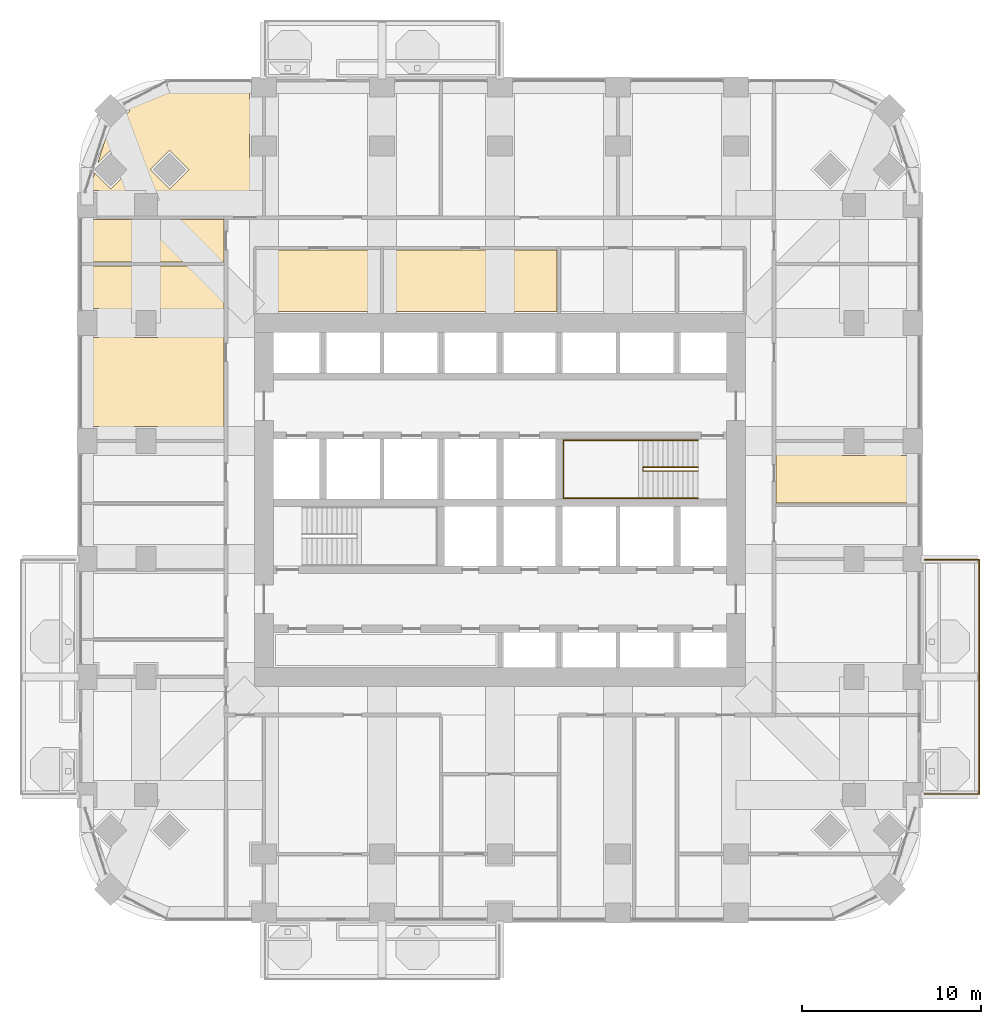
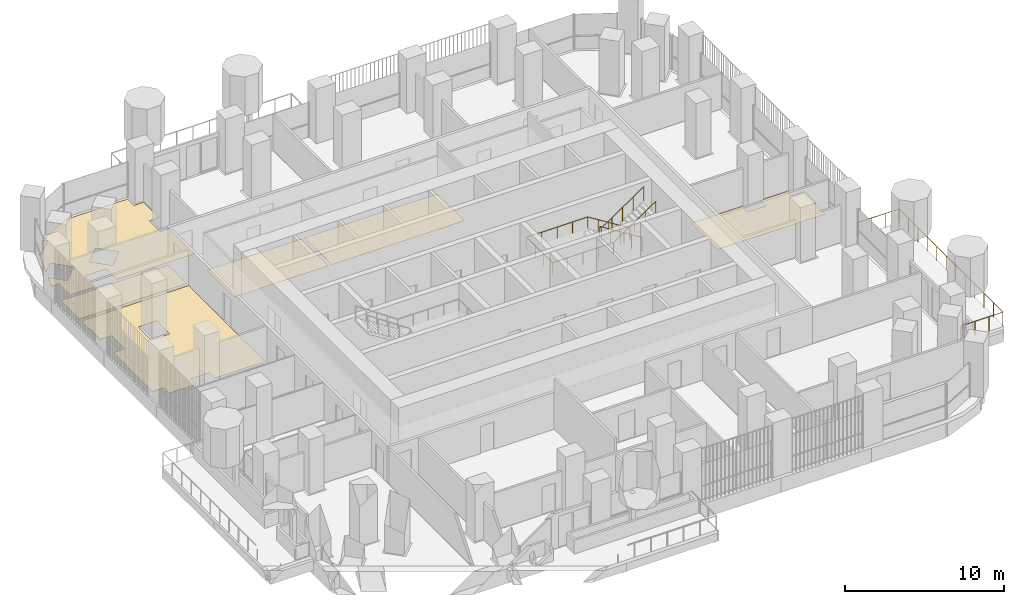
# One storey, part 19 of 21: 6 coverings, 3 railings.
"""IFC4 building model written with IfcOpenShell, lengths in metres."""

from ifc_helpers import new_model, si_unit, direction, frame, origin, place, context, subcontext, project, spatial, polyline, outline, extrude, material, layer, layer_set, type_object, element, save


model = new_model("IFC4")

# Units and contexts
model_context = context("Model", 3, precision=1e-05, world=origin(), true_north=direction((0.0, 1.0)))
body_context = subcontext(model_context, "Body", "Model", "MODEL_VIEW")
ifc_project = project(units=[si_unit("LENGTHUNIT", "METRE"), si_unit("AREAUNIT", "SQUARE_METRE"), si_unit("VOLUMEUNIT", "CUBIC_METRE"), si_unit("PLANEANGLEUNIT", "RADIAN"), si_unit("MASSUNIT", "GRAM", prefix="KILO")], contexts=[model_context])

# Site, building, storey
site_placement = place(None, origin())
site = spatial("IfcSite", under=ifc_project, at=site_placement, CompositionType="ELEMENT")
building_placement = place(site_placement, origin())
building = spatial("IfcBuilding", under=site, at=building_placement, Name="Cobogo Forest Laboratory Tower", CompositionType="ELEMENT")
storey_placement = place(building_placement, frame((0.0, 0.0, 132.60009765625)))
storey = spatial("IfcBuildingStorey", under=building, at=storey_placement, Name="L30", CompositionType="ELEMENT", Elevation=132.60009765625)

# Railing
ifc_material_1 = material(Name="Laminated glass balustrade", Category="glass")
railing_type_1 = type_object("IfcRailingType", Name="BG1 glass balustrade 1100", PredefinedType="GUARDRAIL", material=ifc_material_1)
railing_1_placement = place(storey_placement, frame((50.14990234375, 6.64990234375, 0.0)))
element("IfcRailing", 1, at=railing_1_placement, inside=storey, type_object=railing_type_1, Name="Balcony balustrade BAL-E1 L30", PredefinedType="GUARDRAIL", context=body_context, shape_type="SweptSolid", body=[
    extrude(outline(polyline([(0.022216796875, 0.00927734375), (0.00927734375, 0.022216796875), (-0.00927734375, 0.022216796875), (-0.022216796875, 0.00927734375), (-0.022216796875, -0.00927734375), (-0.00927734375, -0.022216796875), (0.00927734375, -0.022216796875), (0.022216796875, -0.00927734375), (0.022216796875, 0.00927734375)])), frame((0.0, 0.0, 1.077880859375), z_axis=(1.0, 0.0, 0.0), x_axis=(0.0, 1.0, 0.0)), (0.0, 0.0, 1.0), 3.050048828125),
    extrude(outline(polyline([(0.022216796875, 0.00927734375), (0.00927734375, 0.022216796875), (-0.00927734375, 0.022216796875), (-0.022216796875, 0.00927734375), (-0.022216796875, -0.00927734375), (-0.00927734375, -0.022216796875), (0.00927734375, -0.022216796875), (0.022216796875, -0.00927734375), (0.022216796875, 0.00927734375)])), frame((3.050048828125, 0.0, 1.077880859375), z_axis=(0.0, 1.0, 0.0), x_axis=(-1.0, 0.0, 0.0)), (0.0, 0.0, 1.0), 13.10009765625),
    extrude(outline(polyline([(0.022216796875, 0.00927734375), (0.00927734375, 0.022216796875), (-0.00927734375, 0.022216796875), (-0.022216796875, 0.00927734375), (-0.022216796875, -0.00927734375), (-0.00927734375, -0.022216796875), (0.00927734375, -0.022216796875), (0.022216796875, -0.00927734375), (0.022216796875, 0.00927734375)])), frame((3.050048828125, 13.10009765625, 1.077880859375), z_axis=(-1.0, 0.0, 0.0), x_axis=(0.0, -1.0, 0.0)), (0.0, 0.0, 1.0), 3.050048828125),
    extrude(outline(polyline([(0.019287109375, 0.008056640625), (0.008056640625, 0.019287109375), (-0.008056640625, 0.019287109375), (-0.019287109375, 0.008056640625), (-0.019287109375, -0.008056640625), (-0.008056640625, -0.019287109375), (0.008056640625, -0.019287109375), (0.019287109375, -0.008056640625), (0.019287109375, 0.008056640625)])), origin(), (0.0, 0.0, 1.0), 1.077880859375),
    extrude(outline(polyline([(0.019287109375, 0.008056640625), (0.008056640625, 0.019287109375), (-0.008056640625, 0.019287109375), (-0.019287109375, 0.008056640625), (-0.019287109375, -0.008056640625), (-0.008056640625, -0.019287109375), (0.008056640625, -0.019287109375), (0.019287109375, -0.008056640625), (0.019287109375, 0.008056640625)])), frame((1.0166015625, 0.0, 0.0)), (0.0, 0.0, 1.0), 1.077880859375),
    extrude(outline(polyline([(0.019287109375, 0.008056640625), (0.008056640625, 0.019287109375), (-0.008056640625, 0.019287109375), (-0.019287109375, 0.008056640625), (-0.019287109375, -0.008056640625), (-0.008056640625, -0.019287109375), (0.008056640625, -0.019287109375), (0.019287109375, -0.008056640625), (0.019287109375, 0.008056640625)])), frame((2.033447265625, 0.0, 0.0)), (0.0, 0.0, 1.0), 1.077880859375),
    extrude(outline(polyline([(0.019287109375, 0.008056640625), (0.008056640625, 0.019287109375), (-0.008056640625, 0.019287109375), (-0.019287109375, 0.008056640625), (-0.019287109375, -0.008056640625), (-0.008056640625, -0.019287109375), (0.008056640625, -0.019287109375), (0.019287109375, -0.008056640625), (0.019287109375, 0.008056640625)])), frame((3.050048828125, 0.0, 0.0)), (0.0, 0.0, 1.0), 1.077880859375),
    extrude(outline(polyline([(0.019287109375, 0.008056640625), (0.008056640625, 0.019287109375), (-0.008056640625, 0.019287109375), (-0.019287109375, 0.008056640625), (-0.019287109375, -0.008056640625), (-0.008056640625, -0.019287109375), (0.008056640625, -0.019287109375), (0.019287109375, -0.008056640625), (0.019287109375, 0.008056640625)])), frame((3.050048828125, 1.19091796875, 0.0)), (0.0, 0.0, 1.0), 1.077880859375),
    extrude(outline(polyline([(0.019287109375, 0.008056640625), (0.008056640625, 0.019287109375), (-0.008056640625, 0.019287109375), (-0.019287109375, 0.008056640625), (-0.019287109375, -0.008056640625), (-0.008056640625, -0.019287109375), (0.008056640625, -0.019287109375), (0.019287109375, -0.008056640625), (0.019287109375, 0.008056640625)])), frame((3.050048828125, 2.3818359375, 0.0)), (0.0, 0.0, 1.0), 1.077880859375),
    extrude(outline(polyline([(0.019287109375, 0.008056640625), (0.008056640625, 0.019287109375), (-0.008056640625, 0.019287109375), (-0.019287109375, 0.008056640625), (-0.019287109375, -0.008056640625), (-0.008056640625, -0.019287109375), (0.008056640625, -0.019287109375), (0.019287109375, -0.008056640625), (0.019287109375, 0.008056640625)])), frame((3.050048828125, 3.57275390625, 0.0)), (0.0, 0.0, 1.0), 1.077880859375),
    extrude(outline(polyline([(0.019287109375, 0.008056640625), (0.008056640625, 0.019287109375), (-0.008056640625, 0.019287109375), (-0.019287109375, 0.008056640625), (-0.019287109375, -0.008056640625), (-0.008056640625, -0.019287109375), (0.008056640625, -0.019287109375), (0.019287109375, -0.008056640625), (0.019287109375, 0.008056640625)])), frame((3.050048828125, 4.763671875, 0.0)), (0.0, 0.0, 1.0), 1.077880859375),
    extrude(outline(polyline([(0.019287109375, 0.008056640625), (0.008056640625, 0.019287109375), (-0.008056640625, 0.019287109375), (-0.019287109375, 0.008056640625), (-0.019287109375, -0.008056640625), (-0.008056640625, -0.019287109375), (0.008056640625, -0.019287109375), (0.019287109375, -0.008056640625), (0.019287109375, 0.008056640625)])), frame((3.050048828125, 5.95458984375, 0.0)), (0.0, 0.0, 1.0), 1.077880859375),
    extrude(outline(polyline([(0.019287109375, 0.008056640625), (0.008056640625, 0.019287109375), (-0.008056640625, 0.019287109375), (-0.019287109375, 0.008056640625), (-0.019287109375, -0.008056640625), (-0.008056640625, -0.019287109375), (0.008056640625, -0.019287109375), (0.019287109375, -0.008056640625), (0.019287109375, 0.008056640625)])), frame((3.050048828125, 7.1455078125, 0.0)), (0.0, 0.0, 1.0), 1.077880859375),
    extrude(outline(polyline([(0.019287109375, 0.008056640625), (0.008056640625, 0.019287109375), (-0.008056640625, 0.019287109375), (-0.019287109375, 0.008056640625), (-0.019287109375, -0.008056640625), (-0.008056640625, -0.019287109375), (0.008056640625, -0.019287109375), (0.019287109375, -0.008056640625), (0.019287109375, 0.008056640625)])), frame((3.050048828125, 8.33642578125, 0.0)), (0.0, 0.0, 1.0), 1.077880859375),
    extrude(outline(polyline([(0.019287109375, 0.008056640625), (0.008056640625, 0.019287109375), (-0.008056640625, 0.019287109375), (-0.019287109375, 0.008056640625), (-0.019287109375, -0.008056640625), (-0.008056640625, -0.019287109375), (0.008056640625, -0.019287109375), (0.019287109375, -0.008056640625), (0.019287109375, 0.008056640625)])), frame((3.050048828125, 9.52734375, 0.0)), (0.0, 0.0, 1.0), 1.077880859375),
    extrude(outline(polyline([(0.019287109375, 0.008056640625), (0.008056640625, 0.019287109375), (-0.008056640625, 0.019287109375), (-0.019287109375, 0.008056640625), (-0.019287109375, -0.008056640625), (-0.008056640625, -0.019287109375), (0.008056640625, -0.019287109375), (0.019287109375, -0.008056640625), (0.019287109375, 0.008056640625)])), frame((3.050048828125, 10.71826171875, 0.0)), (0.0, 0.0, 1.0), 1.077880859375),
    extrude(outline(polyline([(0.019287109375, 0.008056640625), (0.008056640625, 0.019287109375), (-0.008056640625, 0.019287109375), (-0.019287109375, 0.008056640625), (-0.019287109375, -0.008056640625), (-0.008056640625, -0.019287109375), (0.008056640625, -0.019287109375), (0.019287109375, -0.008056640625), (0.019287109375, 0.008056640625)])), frame((3.050048828125, 11.9091796875, 0.0)), (0.0, 0.0, 1.0), 1.077880859375),
    extrude(outline(polyline([(0.019287109375, 0.008056640625), (0.008056640625, 0.019287109375), (-0.008056640625, 0.019287109375), (-0.019287109375, 0.008056640625), (-0.019287109375, -0.008056640625), (-0.008056640625, -0.019287109375), (0.008056640625, -0.019287109375), (0.019287109375, -0.008056640625), (0.019287109375, 0.008056640625)])), frame((3.050048828125, 13.10009765625, 0.0)), (0.0, 0.0, 1.0), 1.077880859375),
    extrude(outline(polyline([(0.019287109375, 0.008056640625), (0.008056640625, 0.019287109375), (-0.008056640625, 0.019287109375), (-0.019287109375, 0.008056640625), (-0.019287109375, -0.008056640625), (-0.008056640625, -0.019287109375), (0.008056640625, -0.019287109375), (0.019287109375, -0.008056640625), (0.019287109375, 0.008056640625)])), frame((2.033447265625, 13.10009765625, 0.0)), (0.0, 0.0, 1.0), 1.077880859375),
    extrude(outline(polyline([(0.019287109375, 0.008056640625), (0.008056640625, 0.019287109375), (-0.008056640625, 0.019287109375), (-0.019287109375, 0.008056640625), (-0.019287109375, -0.008056640625), (-0.008056640625, -0.019287109375), (0.008056640625, -0.019287109375), (0.019287109375, -0.008056640625), (0.019287109375, 0.008056640625)])), frame((1.0166015625, 13.10009765625, 0.0)), (0.0, 0.0, 1.0), 1.077880859375),
    extrude(outline(polyline([(0.019287109375, 0.008056640625), (0.008056640625, 0.019287109375), (-0.008056640625, 0.019287109375), (-0.019287109375, 0.008056640625), (-0.019287109375, -0.008056640625), (-0.008056640625, -0.019287109375), (0.008056640625, -0.019287109375), (0.019287109375, -0.008056640625), (0.019287109375, 0.008056640625)])), frame((0.0, 13.10009765625, 0.0)), (0.0, 0.0, 1.0), 1.077880859375),
])

# Coverings
ifc_material_2 = material(Name="Carpet tile on raised access floor", Category="flooring")
ifc_layer_1 = layer(ifc_material_2, 0.008056640625)
ifc_layer_set_1 = layer_set([ifc_layer_1], Name="CT1 carpet tile floor 8")
covering_type_1 = type_object("IfcCoveringType", Name="CT1 carpet tile floor 8", PredefinedType="FLOORING", material=ifc_layer_set_1)
covering_1_placement = place(storey_placement, origin())
element("IfcCovering", 2, at=covering_1_placement, inside=storey, type_object=covering_type_1, Name="Carpet floor L30-28", PredefinedType="FLOORING", context=body_context, shape_type="SweptSolid", body=[
    extrude(outline(polyline([(10.955078125, 26.52001953125), (7.27001953125, 26.52001953125), (7.27001953125, 27.219970703125), (5.929931640625, 27.219970703125), (5.929931640625, 26.52001953125), (3.969970703125, 26.52001953125), (3.969970703125, 27.219970703125), (3.14990234375, 27.219970703125), (3.14990234375, 32.179931640625), (3.969970703125, 32.179931640625), (3.969970703125, 33.820068359375), (3.14990234375, 33.820068359375), (3.14990234375, 36.179931640625), (10.955078125, 36.179931640625), (10.955078125, 26.52001953125)]), holes=[polyline([(5.929931640625, 32.179931640625), (7.27001953125, 32.179931640625), (7.27001953125, 33.820068359375), (5.929931640625, 33.820068359375), (5.929931640625, 32.179931640625)])]), origin(), (0.0, 0.0, 1.0), 0.0078125),
])
covering_2_placement = place(storey_placement, origin())
element("IfcCovering", 3, at=covering_2_placement, inside=storey, type_object=covering_type_1, Name="Carpet floor L30-29", PredefinedType="FLOORING", context=body_context, shape_type="SweptSolid", body=[
    extrude(outline(polyline([(10.955078125, 36.419921875), (3.14990234375, 36.419921875), (3.14990234375, 38.780029296875), (10.955078125, 38.780029296875), (10.955078125, 36.419921875)])), origin(), (0.0, 0.0, 1.0), 0.0078125),
])

# Railings
ifc_material_3 = material(Name="Steel balustrade", Category="steel")
railing_type_2 = type_object("IfcRailingType", Name="GR stair guard 1100", PredefinedType="GUARDRAIL", material=ifc_material_3)
railing_2_placement = place(storey_placement, frame((37.47509765625, 24.929931640625, 0.1748046875)))
element("IfcRailing", 4, at=railing_2_placement, inside=storey, type_object=railing_type_2, Name="Stair guard ST2 L30", PredefinedType="GUARDRAIL", context=body_context, shape_type="SweptSolid", body=[
    extrude(outline(polyline([(0.022216796875, 0.00927734375), (0.00927734375, 0.022216796875), (-0.00927734375, 0.022216796875), (-0.022216796875, 0.00927734375), (-0.022216796875, -0.00927734375), (-0.00927734375, -0.022216796875), (0.00927734375, -0.022216796875), (0.022216796875, -0.00927734375), (0.022216796875, 0.00927734375)])), frame((0.0, 0.0, 1.077880859375), z_axis=(-0.847998304005, 0.0, 0.529998940003), x_axis=(0.0, -1.0, 0.0)), (0.0, 0.0, 1.0), 3.632080078125),
    extrude(outline(polyline([(0.022216796875, 0.00927734375), (0.00927734375, 0.022216796875), (-0.00927734375, 0.022216796875), (-0.022216796875, 0.00927734375), (-0.022216796875, -0.00927734375), (-0.00927734375, -0.022216796875), (0.00927734375, -0.022216796875), (0.022216796875, -0.00927734375), (0.022216796875, 0.00927734375)])), frame((-3.080078125, 0.0, 3.0029296875), z_axis=(0.0, -1.0, 0.0), x_axis=(1.0, 0.0, 0.0)), (0.0, 0.0, 1.0), 0.2099609375),
    extrude(outline(polyline([(0.022216796875, 0.00927734375), (0.00927734375, 0.022216796875), (-0.00927734375, 0.022216796875), (-0.022216796875, 0.00927734375), (-0.022216796875, -0.00927734375), (-0.00927734375, -0.022216796875), (0.00927734375, -0.022216796875), (0.022216796875, -0.00927734375), (0.022216796875, 0.00927734375)])), frame((-3.080078125, -0.2099609375, 3.0029296875), z_axis=(0.826221800596, 0.0, 0.563344953133), x_axis=(0.0, 1.0, 0.0)), (0.0, 0.0, 1.0), 3.72802734375),
    extrude(outline(polyline([(0.019287109375, 0.008056640625), (0.008056640625, 0.019287109375), (-0.008056640625, 0.019287109375), (-0.019287109375, 0.008056640625), (-0.019287109375, -0.008056640625), (-0.008056640625, -0.019287109375), (0.008056640625, -0.019287109375), (0.019287109375, -0.008056640625), (0.019287109375, 0.008056640625)])), origin(), (0.0, 0.0, 1.0), 1.077880859375),
    extrude(outline(polyline([(0.019287109375, 0.008056640625), (0.008056640625, 0.019287109375), (-0.008056640625, 0.019287109375), (-0.019287109375, 0.008056640625), (-0.019287109375, -0.008056640625), (-0.008056640625, -0.019287109375), (0.008056640625, -0.019287109375), (0.019287109375, -0.008056640625), (0.019287109375, 0.008056640625)])), frame((-0.77001953125, 0.0, 0.481201171875)), (0.0, 0.0, 1.0), 1.077880859375),
    extrude(outline(polyline([(0.019287109375, 0.008056640625), (0.008056640625, 0.019287109375), (-0.008056640625, 0.019287109375), (-0.019287109375, 0.008056640625), (-0.019287109375, -0.008056640625), (-0.008056640625, -0.019287109375), (0.008056640625, -0.019287109375), (0.019287109375, -0.008056640625), (0.019287109375, 0.008056640625)])), frame((-1.5400390625, 0.0, 0.96240234375)), (0.0, 0.0, 1.0), 1.077880859375),
    extrude(outline(polyline([(0.019287109375, 0.008056640625), (0.008056640625, 0.019287109375), (-0.008056640625, 0.019287109375), (-0.019287109375, 0.008056640625), (-0.019287109375, -0.008056640625), (-0.008056640625, -0.019287109375), (0.008056640625, -0.019287109375), (0.019287109375, -0.008056640625), (0.019287109375, 0.008056640625)])), frame((-2.31005859375, 0.0, 1.44384765625)), (0.0, 0.0, 1.0), 1.077880859375),
    extrude(outline(polyline([(0.019287109375, 0.008056640625), (0.008056640625, 0.019287109375), (-0.008056640625, 0.019287109375), (-0.019287109375, 0.008056640625), (-0.019287109375, -0.008056640625), (-0.008056640625, -0.019287109375), (0.008056640625, -0.019287109375), (0.019287109375, -0.008056640625), (0.019287109375, 0.008056640625)])), frame((-3.080078125, 0.0, 1.925048828125)), (0.0, 0.0, 1.0), 1.077880859375),
    extrude(outline(polyline([(0.019287109375, 0.008056640625), (0.008056640625, 0.019287109375), (-0.008056640625, 0.019287109375), (-0.019287109375, 0.008056640625), (-0.019287109375, -0.008056640625), (-0.008056640625, -0.019287109375), (0.008056640625, -0.019287109375), (0.019287109375, -0.008056640625), (0.019287109375, 0.008056640625)])), frame((-3.080078125, -0.2099609375, 1.925048828125)), (0.0, 0.0, 1.0), 1.077880859375),
    extrude(outline(polyline([(0.019287109375, 0.008056640625), (0.008056640625, 0.019287109375), (-0.008056640625, 0.019287109375), (-0.019287109375, 0.008056640625), (-0.019287109375, -0.008056640625), (-0.008056640625, -0.019287109375), (0.008056640625, -0.019287109375), (0.019287109375, -0.008056640625), (0.019287109375, 0.008056640625)])), frame((-2.31005859375, -0.2099609375, 2.4501953125)), (0.0, 0.0, 1.0), 1.077880859375),
    extrude(outline(polyline([(0.019287109375, 0.008056640625), (0.008056640625, 0.019287109375), (-0.008056640625, 0.019287109375), (-0.019287109375, 0.008056640625), (-0.019287109375, -0.008056640625), (-0.008056640625, -0.019287109375), (0.008056640625, -0.019287109375), (0.019287109375, -0.008056640625), (0.019287109375, 0.008056640625)])), frame((-1.5400390625, -0.2099609375, 2.97509765625)), (0.0, 0.0, 1.0), 1.077880859375),
    extrude(outline(polyline([(0.019287109375, 0.008056640625), (0.008056640625, 0.019287109375), (-0.008056640625, 0.019287109375), (-0.019287109375, 0.008056640625), (-0.019287109375, -0.008056640625), (-0.008056640625, -0.019287109375), (0.008056640625, -0.019287109375), (0.019287109375, -0.008056640625), (0.019287109375, 0.008056640625)])), frame((-0.77001953125, -0.2099609375, 3.5)), (0.0, 0.0, 1.0), 1.077880859375),
    extrude(outline(polyline([(0.019287109375, 0.008056640625), (0.008056640625, 0.019287109375), (-0.008056640625, 0.019287109375), (-0.019287109375, 0.008056640625), (-0.019287109375, -0.008056640625), (-0.008056640625, -0.019287109375), (0.008056640625, -0.019287109375), (0.019287109375, -0.008056640625), (0.019287109375, 0.008056640625)])), frame((0.0, -0.2099609375, 4.025146484375)), (0.0, 0.0, 1.0), 1.077880859375),
])
ifc_material_4 = material(Name="Stainless steel handrail", Category="steel")
railing_type_3 = type_object("IfcRailingType", Name="HR handrail 900", PredefinedType="HANDRAIL", material=ifc_material_4)
railing_3_placement = place(storey_placement, frame((37.47509765625, 26.449951171875, 0.1748046875)))
element("IfcRailing", 5, at=railing_3_placement, inside=storey, type_object=railing_type_3, Name="Stair handrail ST2 L30", PredefinedType="HANDRAIL", context=body_context, shape_type="SweptSolid", body=[
    extrude(outline(polyline([(0.022216796875, 0.00927734375), (0.00927734375, 0.022216796875), (-0.00927734375, 0.022216796875), (-0.022216796875, 0.00927734375), (-0.022216796875, -0.00927734375), (-0.00927734375, -0.022216796875), (0.00927734375, -0.022216796875), (0.022216796875, -0.00927734375), (0.022216796875, 0.00927734375)])), frame((0.0, 0.0, 0.877685546875), z_axis=(-0.847998304005, 0.0, 0.529998940003), x_axis=(0.0, -1.0, 0.0)), (0.0, 0.0, 1.0), 3.632080078125),
    extrude(outline(polyline([(0.022216796875, 0.00927734375), (0.00927734375, 0.022216796875), (-0.00927734375, 0.022216796875), (-0.022216796875, 0.00927734375), (-0.022216796875, -0.00927734375), (-0.00927734375, -0.022216796875), (0.00927734375, -0.022216796875), (0.022216796875, -0.00927734375), (0.022216796875, 0.00927734375)])), frame((-3.080078125, 0.0, 2.802734375), z_axis=(-1.0, 0.0, 0.0), x_axis=(0.0, -1.0, 0.0)), (0.0, 0.0, 1.0), 4.445068359375),
    extrude(outline(polyline([(0.022216796875, 0.00927734375), (0.00927734375, 0.022216796875), (-0.00927734375, 0.022216796875), (-0.022216796875, 0.00927734375), (-0.022216796875, -0.00927734375), (-0.00927734375, -0.022216796875), (0.00927734375, -0.022216796875), (0.022216796875, -0.00927734375), (0.022216796875, 0.00927734375)])), frame((-7.525146484375, 0.0, 2.802734375), z_axis=(0.0, -1.0, 0.0), x_axis=(1.0, 0.0, 0.0)), (0.0, 0.0, 1.0), 3.25),
    extrude(outline(polyline([(0.022216796875, 0.00927734375), (0.00927734375, 0.022216796875), (-0.00927734375, 0.022216796875), (-0.022216796875, 0.00927734375), (-0.022216796875, -0.00927734375), (-0.00927734375, -0.022216796875), (0.00927734375, -0.022216796875), (0.022216796875, -0.00927734375), (0.022216796875, 0.00927734375)])), frame((-7.525146484375, -3.25, 2.802734375), z_axis=(1.0, 0.0, 0.0), x_axis=(0.0, 1.0, 0.0)), (0.0, 0.0, 1.0), 4.445068359375),
    extrude(outline(polyline([(0.022216796875, 0.00927734375), (0.00927734375, 0.022216796875), (-0.00927734375, 0.022216796875), (-0.022216796875, 0.00927734375), (-0.022216796875, -0.00927734375), (-0.00927734375, -0.022216796875), (0.00927734375, -0.022216796875), (0.022216796875, -0.00927734375), (0.022216796875, 0.00927734375)])), frame((-3.080078125, -3.25, 2.802734375), z_axis=(0.826221800596, 0.0, 0.563344953133), x_axis=(0.0, 1.0, 0.0)), (0.0, 0.0, 1.0), 3.72802734375),
    extrude(outline(polyline([(0.019287109375, 0.008056640625), (0.008056640625, 0.019287109375), (-0.008056640625, 0.019287109375), (-0.019287109375, 0.008056640625), (-0.019287109375, -0.008056640625), (-0.008056640625, -0.019287109375), (0.008056640625, -0.019287109375), (0.019287109375, -0.008056640625), (0.019287109375, 0.008056640625)])), origin(), (0.0, 0.0, 1.0), 0.877685546875),
    extrude(outline(polyline([(0.019287109375, 0.008056640625), (0.008056640625, 0.019287109375), (-0.008056640625, 0.019287109375), (-0.019287109375, 0.008056640625), (-0.019287109375, -0.008056640625), (-0.008056640625, -0.019287109375), (0.008056640625, -0.019287109375), (0.019287109375, -0.008056640625), (0.019287109375, 0.008056640625)])), frame((-0.77001953125, 0.0, 0.481201171875)), (0.0, 0.0, 1.0), 0.877685546875),
    extrude(outline(polyline([(0.019287109375, 0.008056640625), (0.008056640625, 0.019287109375), (-0.008056640625, 0.019287109375), (-0.019287109375, 0.008056640625), (-0.019287109375, -0.008056640625), (-0.008056640625, -0.019287109375), (0.008056640625, -0.019287109375), (0.019287109375, -0.008056640625), (0.019287109375, 0.008056640625)])), frame((-1.5400390625, 0.0, 0.96240234375)), (0.0, 0.0, 1.0), 0.877685546875),
    extrude(outline(polyline([(0.019287109375, 0.008056640625), (0.008056640625, 0.019287109375), (-0.008056640625, 0.019287109375), (-0.019287109375, 0.008056640625), (-0.019287109375, -0.008056640625), (-0.008056640625, -0.019287109375), (0.008056640625, -0.019287109375), (0.019287109375, -0.008056640625), (0.019287109375, 0.008056640625)])), frame((-2.31005859375, 0.0, 1.44384765625)), (0.0, 0.0, 1.0), 0.877685546875),
    extrude(outline(polyline([(0.019287109375, 0.008056640625), (0.008056640625, 0.019287109375), (-0.008056640625, 0.019287109375), (-0.019287109375, 0.008056640625), (-0.019287109375, -0.008056640625), (-0.008056640625, -0.019287109375), (0.008056640625, -0.019287109375), (0.019287109375, -0.008056640625), (0.019287109375, 0.008056640625)])), frame((-3.080078125, 0.0, 1.925048828125)), (0.0, 0.0, 1.0), 0.877685546875),
    extrude(outline(polyline([(0.019287109375, 0.008056640625), (0.008056640625, 0.019287109375), (-0.008056640625, 0.019287109375), (-0.019287109375, 0.008056640625), (-0.019287109375, -0.008056640625), (-0.008056640625, -0.019287109375), (0.008056640625, -0.019287109375), (0.019287109375, -0.008056640625), (0.019287109375, 0.008056640625)])), frame((-4.19140625, 0.0, 1.925048828125)), (0.0, 0.0, 1.0), 0.877685546875),
    extrude(outline(polyline([(0.019287109375, 0.008056640625), (0.008056640625, 0.019287109375), (-0.008056640625, 0.019287109375), (-0.019287109375, 0.008056640625), (-0.019287109375, -0.008056640625), (-0.008056640625, -0.019287109375), (0.008056640625, -0.019287109375), (0.019287109375, -0.008056640625), (0.019287109375, 0.008056640625)])), frame((-5.302734375, 0.0, 1.925048828125)), (0.0, 0.0, 1.0), 0.877685546875),
    extrude(outline(polyline([(0.019287109375, 0.008056640625), (0.008056640625, 0.019287109375), (-0.008056640625, 0.019287109375), (-0.019287109375, 0.008056640625), (-0.019287109375, -0.008056640625), (-0.008056640625, -0.019287109375), (0.008056640625, -0.019287109375), (0.019287109375, -0.008056640625), (0.019287109375, 0.008056640625)])), frame((-6.413818359375, 0.0, 1.925048828125)), (0.0, 0.0, 1.0), 0.877685546875),
    extrude(outline(polyline([(0.019287109375, 0.008056640625), (0.008056640625, 0.019287109375), (-0.008056640625, 0.019287109375), (-0.019287109375, 0.008056640625), (-0.019287109375, -0.008056640625), (-0.008056640625, -0.019287109375), (0.008056640625, -0.019287109375), (0.019287109375, -0.008056640625), (0.019287109375, 0.008056640625)])), frame((-7.525146484375, 0.0, 1.925048828125)), (0.0, 0.0, 1.0), 0.877685546875),
    extrude(outline(polyline([(0.019287109375, 0.008056640625), (0.008056640625, 0.019287109375), (-0.008056640625, 0.019287109375), (-0.019287109375, 0.008056640625), (-0.019287109375, -0.008056640625), (-0.008056640625, -0.019287109375), (0.008056640625, -0.019287109375), (0.019287109375, -0.008056640625), (0.019287109375, 0.008056640625)])), frame((-7.525146484375, -1.083251953125, 1.925048828125)), (0.0, 0.0, 1.0), 0.877685546875),
    extrude(outline(polyline([(0.019287109375, 0.008056640625), (0.008056640625, 0.019287109375), (-0.008056640625, 0.019287109375), (-0.019287109375, 0.008056640625), (-0.019287109375, -0.008056640625), (-0.008056640625, -0.019287109375), (0.008056640625, -0.019287109375), (0.019287109375, -0.008056640625), (0.019287109375, 0.008056640625)])), frame((-7.525146484375, -2.166748046875, 1.925048828125)), (0.0, 0.0, 1.0), 0.877685546875),
    extrude(outline(polyline([(0.019287109375, 0.008056640625), (0.008056640625, 0.019287109375), (-0.008056640625, 0.019287109375), (-0.019287109375, 0.008056640625), (-0.019287109375, -0.008056640625), (-0.008056640625, -0.019287109375), (0.008056640625, -0.019287109375), (0.019287109375, -0.008056640625), (0.019287109375, 0.008056640625)])), frame((-7.525146484375, -3.25, 1.925048828125)), (0.0, 0.0, 1.0), 0.877685546875),
    extrude(outline(polyline([(0.019287109375, 0.008056640625), (0.008056640625, 0.019287109375), (-0.008056640625, 0.019287109375), (-0.019287109375, 0.008056640625), (-0.019287109375, -0.008056640625), (-0.008056640625, -0.019287109375), (0.008056640625, -0.019287109375), (0.019287109375, -0.008056640625), (0.019287109375, 0.008056640625)])), frame((-6.413818359375, -3.25, 1.925048828125)), (0.0, 0.0, 1.0), 0.877685546875),
    extrude(outline(polyline([(0.019287109375, 0.008056640625), (0.008056640625, 0.019287109375), (-0.008056640625, 0.019287109375), (-0.019287109375, 0.008056640625), (-0.019287109375, -0.008056640625), (-0.008056640625, -0.019287109375), (0.008056640625, -0.019287109375), (0.019287109375, -0.008056640625), (0.019287109375, 0.008056640625)])), frame((-5.302734375, -3.25, 1.925048828125)), (0.0, 0.0, 1.0), 0.877685546875),
    extrude(outline(polyline([(0.019287109375, 0.008056640625), (0.008056640625, 0.019287109375), (-0.008056640625, 0.019287109375), (-0.019287109375, 0.008056640625), (-0.019287109375, -0.008056640625), (-0.008056640625, -0.019287109375), (0.008056640625, -0.019287109375), (0.019287109375, -0.008056640625), (0.019287109375, 0.008056640625)])), frame((-4.19140625, -3.25, 1.925048828125)), (0.0, 0.0, 1.0), 0.877685546875),
    extrude(outline(polyline([(0.019287109375, 0.008056640625), (0.008056640625, 0.019287109375), (-0.008056640625, 0.019287109375), (-0.019287109375, 0.008056640625), (-0.019287109375, -0.008056640625), (-0.008056640625, -0.019287109375), (0.008056640625, -0.019287109375), (0.019287109375, -0.008056640625), (0.019287109375, 0.008056640625)])), frame((-3.080078125, -3.25, 1.925048828125)), (0.0, 0.0, 1.0), 0.877685546875),
    extrude(outline(polyline([(0.019287109375, 0.008056640625), (0.008056640625, 0.019287109375), (-0.008056640625, 0.019287109375), (-0.019287109375, 0.008056640625), (-0.019287109375, -0.008056640625), (-0.008056640625, -0.019287109375), (0.008056640625, -0.019287109375), (0.019287109375, -0.008056640625), (0.019287109375, 0.008056640625)])), frame((-2.31005859375, -3.25, 2.4501953125)), (0.0, 0.0, 1.0), 0.877685546875),
    extrude(outline(polyline([(0.019287109375, 0.008056640625), (0.008056640625, 0.019287109375), (-0.008056640625, 0.019287109375), (-0.019287109375, 0.008056640625), (-0.019287109375, -0.008056640625), (-0.008056640625, -0.019287109375), (0.008056640625, -0.019287109375), (0.019287109375, -0.008056640625), (0.019287109375, 0.008056640625)])), frame((-1.5400390625, -3.25, 2.97509765625)), (0.0, 0.0, 1.0), 0.877685546875),
    extrude(outline(polyline([(0.019287109375, 0.008056640625), (0.008056640625, 0.019287109375), (-0.008056640625, 0.019287109375), (-0.019287109375, 0.008056640625), (-0.019287109375, -0.008056640625), (-0.008056640625, -0.019287109375), (0.008056640625, -0.019287109375), (0.019287109375, -0.008056640625), (0.019287109375, 0.008056640625)])), frame((-0.77001953125, -3.25, 3.5)), (0.0, 0.0, 1.0), 0.877685546875),
    extrude(outline(polyline([(0.019287109375, 0.008056640625), (0.008056640625, 0.019287109375), (-0.008056640625, 0.019287109375), (-0.019287109375, 0.008056640625), (-0.019287109375, -0.008056640625), (-0.008056640625, -0.019287109375), (0.008056640625, -0.019287109375), (0.019287109375, -0.008056640625), (0.019287109375, 0.008056640625)])), frame((0.0, -3.25, 4.025146484375)), (0.0, 0.0, 1.0), 0.877685546875),
])

# Coverings
ifc_material_5 = material(Name="Epoxy resin flooring", Category="flooring")
ifc_layer_2 = layer(ifc_material_5, 0.00390625)
ifc_layer_set_2 = layer_set([ifc_layer_2], Name="LF1 epoxy laboratory floor 4")
covering_type_2 = type_object("IfcCoveringType", Name="LF1 epoxy laboratory floor 4", PredefinedType="FLOORING", material=ifc_layer_set_2)
covering_3_placement = place(storey_placement, origin())
element("IfcCovering", 6, at=covering_3_placement, inside=storey, type_object=covering_type_2, Name="Epoxy laboratory floor L30-01", PredefinedType="FLOORING", context=body_context, shape_type="SweptSolid", body=[
    extrude(outline(polyline([(19.679931640625, 33.64501953125), (12.794921875, 33.64501953125), (12.794921875, 37.080078125), (19.679931640625, 37.080078125), (19.679931640625, 33.64501953125)])), origin(), (0.0, 0.0, 1.0), 0.00390625),
])
covering_4_placement = place(storey_placement, origin())
element("IfcCovering", 7, at=covering_4_placement, inside=storey, type_object=covering_type_2, Name="Epoxy laboratory floor L30-02", PredefinedType="FLOORING", context=body_context, shape_type="SweptSolid", body=[
    extrude(outline(polyline([(29.580078125, 33.64501953125), (19.919921875, 33.64501953125), (19.919921875, 37.080078125), (29.580078125, 37.080078125), (29.580078125, 33.64501953125)])), origin(), (0.0, 0.0, 1.0), 0.00390625),
])
covering_5_placement = place(storey_placement, origin())
element("IfcCovering", 8, at=covering_5_placement, inside=storey, type_object=covering_type_2, Name="Epoxy laboratory floor L30-19", PredefinedType="FLOORING", context=body_context, shape_type="SweptSolid", body=[
    extrude(outline(polyline([(3.72412109375, 41.386962890625), (4.617919921875, 40.492919921875), (5.70703125, 41.58203125), (4.617919921875, 42.6708984375), (3.904052734375, 41.95703125), (4.51611328125, 43.89501953125), (4.617919921875, 43.79296875), (5.70703125, 44.882080078125), (5.480712890625, 45.1083984375), (7.84912109375, 46.35009765625), (12.3798828125, 46.35009765625), (12.3798828125, 45.530029296875), (13.080078125, 45.530029296875), (13.080078125, 43.570068359375), (12.3798828125, 43.570068359375), (12.3798828125, 42.22998046875), (13.080078125, 42.22998046875), (13.080078125, 39.02001953125), (7.3701171875, 39.02001953125), (7.3701171875, 40.3701171875), (5.830078125, 40.3701171875), (5.830078125, 39.02001953125), (3.969970703125, 39.02001953125), (3.969970703125, 40.419921875), (3.418701171875, 40.419921875), (3.72412109375, 41.386962890625)]), holes=[polyline([(6.8291015625, 41.58203125), (7.91796875, 40.492919921875), (9.007080078125, 41.58203125), (7.91796875, 42.6708984375), (6.8291015625, 41.58203125)])]), origin(), (0.0, 0.0, 1.0), 0.00390625),
])
ifc_material_6 = material(Name="Static-dissipative vinyl flooring", Category="flooring")
ifc_layer_3 = layer(ifc_material_6, 0.0029296875)
ifc_layer_set_3 = layer_set([ifc_layer_3], Name="SD1 static-dissipative vinyl floor 3")
covering_type_3 = type_object("IfcCoveringType", Name="SD1 static-dissipative vinyl floor 3", PredefinedType="FLOORING", material=ifc_layer_set_3)
covering_6_placement = place(storey_placement, origin())
element("IfcCovering", 9, at=covering_6_placement, inside=storey, type_object=covering_type_3, Name="Static-dissipative floor L30-16", PredefinedType="FLOORING", context=body_context, shape_type="SweptSolid", body=[
    extrude(outline(polyline([(41.844970703125, 26.280029296875), (45.530029296875, 26.280029296875), (45.530029296875, 25.580078125), (46.8701171875, 25.580078125), (46.8701171875, 26.280029296875), (48.830078125, 26.280029296875), (48.830078125, 25.580078125), (49.64990234375, 25.580078125), (49.64990234375, 22.919921875), (41.844970703125, 22.919921875), (41.844970703125, 26.280029296875)])), origin(), (0.0, 0.0, 1.0), 0.0029296875),
])

save(model, "model.ifc")
